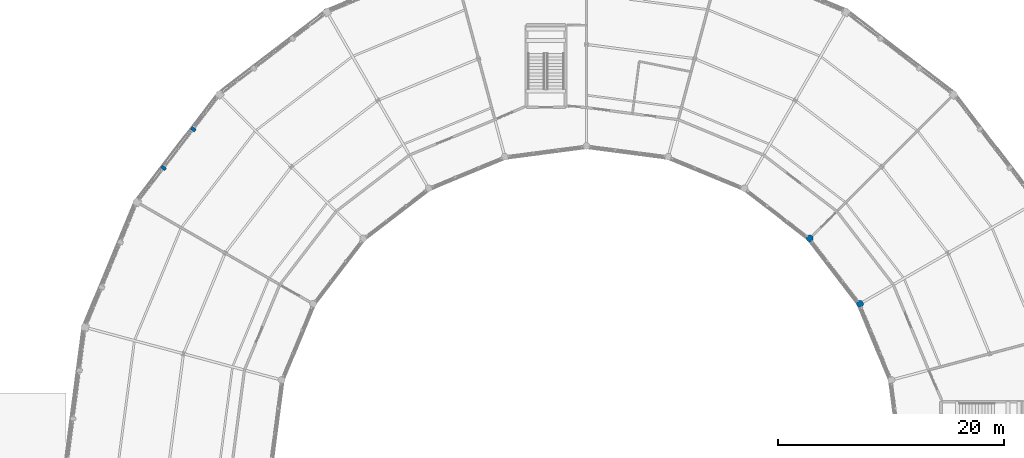
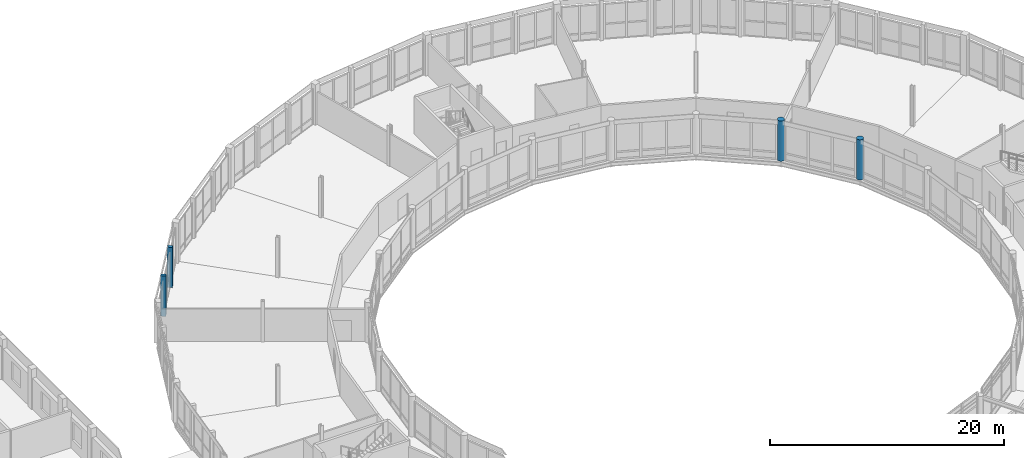
# One storey, part 11 of 170: 4 columns.
"""IFC4 building model written with IfcOpenShell, lengths in metres."""

from ifc_helpers import new_model, si_unit, direction, frame, origin, origin_2d, place, context, subcontext, project, spatial, rectangle, circle, extrude, material, material_profile, profile_set, type_object, element, save


model = new_model("IFC4")

# Units and contexts
model_context = context("Model", 3, precision=1e-05, world=origin(), true_north=direction((0.0, 1.0)))
body_context = subcontext(model_context, "Body", "Model", "MODEL_VIEW")
ifc_project = project(units=[si_unit("LENGTHUNIT", "METRE"), si_unit("AREAUNIT", "SQUARE_METRE"), si_unit("VOLUMEUNIT", "CUBIC_METRE"), si_unit("PLANEANGLEUNIT", "RADIAN"), si_unit("MASSUNIT", "GRAM", prefix="KILO")], contexts=[model_context])

# Site, building, storey
site_placement = place(None, origin())
site = spatial("IfcSite", under=ifc_project, at=site_placement, CompositionType="ELEMENT")
building_placement = place(site_placement, origin())
building = spatial("IfcBuilding", under=site, at=building_placement, Name="Vondelvale Polytechnic", CompositionType="ELEMENT")
storey_placement = place(building_placement, frame((0.0, 0.0, 5.39990234375)))
storey = spatial("IfcBuildingStorey", under=building, at=storey_placement, Name="L01", CompositionType="ELEMENT", Elevation=5.39990234375)

# Columns
ifc_material_1 = material(Name="Glulam GL18 structural Tasmanian oak (fb = 42 MPa)", Category="wood")
ifc_material_profile_1 = material_profile(ifc_material_1, rectangle(XDim=0.300048828125, YDim=0.449951171875, at=origin_2d()), Name="GL-POST-300x450")
ifc_profile_set_1 = profile_set([ifc_material_profile_1], Name="Glulam GL18 structural Tasmanian oak (fb = 42 MPa)")
column_type_1 = type_object("IfcColumnType", Name="COL-GLULAM-300x450", PredefinedType="PILASTER", material=ifc_profile_set_1)
for number, where, z_axis, x_axis, name in (
    (1, (67.1337890625, 101.478271484375, 0.0), (0.0, 0.0, 1.0), (0.608761429009, 0.793353340291, 0.0), "L01 ring outer glulam timber post C09-P1"),
    (2, (64.502197265625, 98.048583984375, 0.0), (0.0, 0.0, 1.0), (0.608761429009, 0.793353340291, 0.0), "L01 ring outer glulam timber post C09-P2"),
):
    element("IfcColumn", number, at=place(storey_placement, frame(where, z_axis=z_axis, x_axis=x_axis)), inside=storey, type_object=column_type_1, Name=name, PredefinedType="PILASTER", context=body_context, shape_type="SweptSolid", body=[
        extrude(rectangle(XDim=0.300048828125, YDim=0.449951171875, at=origin_2d()), origin(), (0.0, 0.0, 1.0), 4.2001953125),
    ])
ifc_material_2 = material(Name="Concrete N50 (f'c = 50 MPa)", Category="concrete")
ifc_material_profile_2 = material_profile(ifc_material_2, circle(Radius=0.300048828125, at=origin_2d()), Name="RC-COL-D600")
ifc_profile_set_2 = profile_set([ifc_material_profile_2], Name="Concrete N50 (f'c = 50 MPa)")
column_type_2 = type_object("IfcColumnType", Name="COL-RCD600", PredefinedType="COLUMN", material=ifc_profile_set_2)
for number, where, z_axis, x_axis, name in (
    (3, (126.248779296875, 86.0, 0.0), (0.0, 0.0, 1.0), (0.866025403784, 0.5, 0.0), "L01 courtyard ring column S02-RI"),
    (4, (121.799072265625, 91.799072265625, 0.0), (0.0, 0.0, 1.0), (0.707106781187, 0.707106781187, 0.0), "L01 courtyard ring column S03-RI"),
):
    element("IfcColumn", number, at=place(storey_placement, frame(where, z_axis=z_axis, x_axis=x_axis)), inside=storey, type_object=column_type_2, Name=name, PredefinedType="COLUMN", context=body_context, shape_type="SweptSolid", body=[
        extrude(circle(Radius=0.300048828125, at=origin_2d()), origin(), (0.0, 0.0, 1.0), 4.2001953125),
    ])

save(model, "model.ifc")
